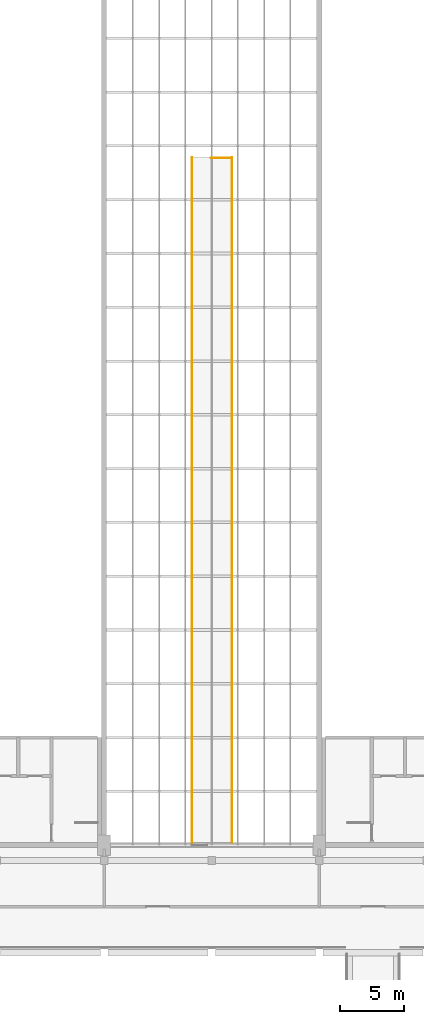
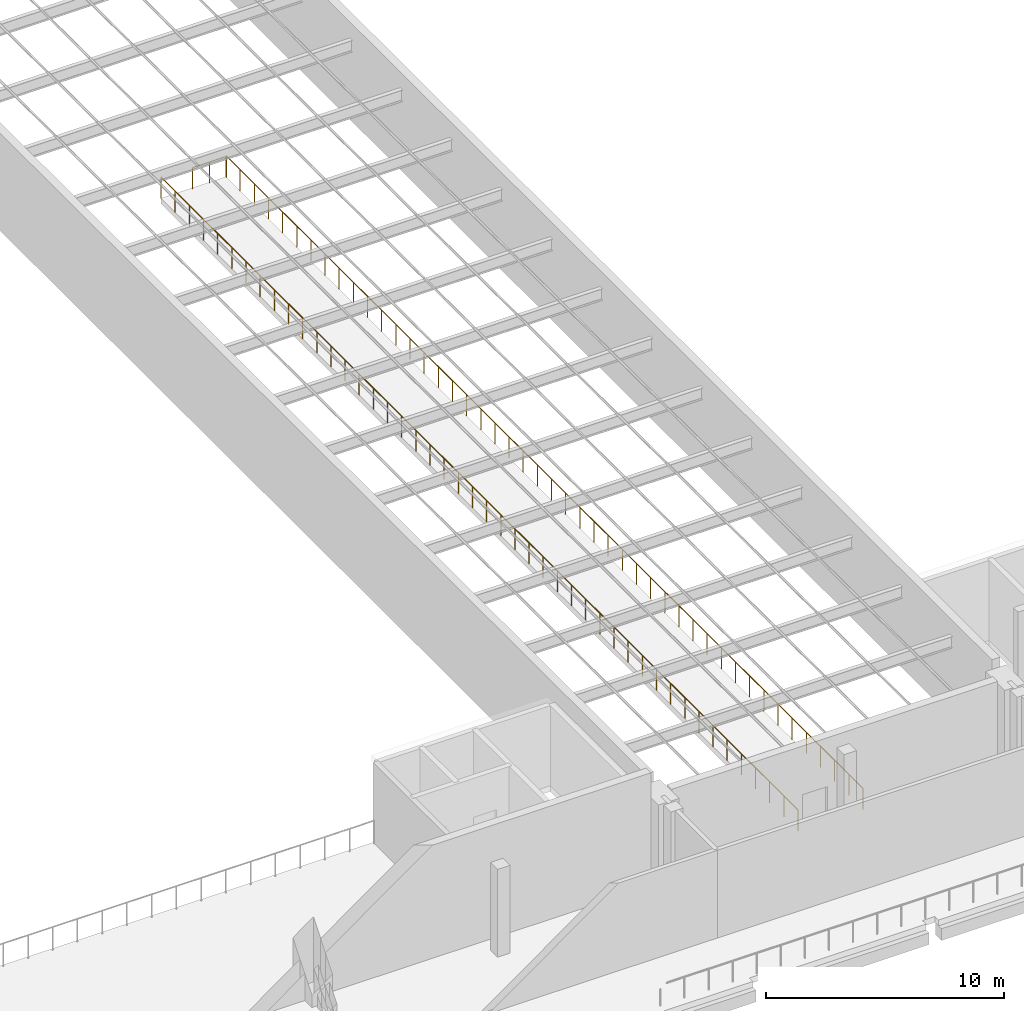
# One storey, part 156 of 162: 3 railings.
"""IFC4 building model written with IfcOpenShell, lengths in metres."""

from ifc_helpers import new_model, si_unit, direction, frame, origin, origin_2d, place, context, subcontext, project, spatial, circle, extrude, material, type_object, element, save


model = new_model("IFC4")

# Units and contexts
model_context = context("Model", 3, precision=1e-05, world=origin(), true_north=direction((0.0, 1.0)))
body_context = subcontext(model_context, "Body", "Model", "MODEL_VIEW")
ifc_project = project(units=[si_unit("LENGTHUNIT", "METRE"), si_unit("AREAUNIT", "SQUARE_METRE"), si_unit("VOLUMEUNIT", "CUBIC_METRE"), si_unit("PLANEANGLEUNIT", "RADIAN"), si_unit("MASSUNIT", "GRAM", prefix="KILO")], contexts=[model_context])

# Site, building, storey
site_placement = place(None, origin())
site = spatial("IfcSite", under=ifc_project, at=site_placement, CompositionType="ELEMENT")
building_placement = place(site_placement, origin())
building = spatial("IfcBuilding", under=site, at=building_placement, Name="Rain Tree Exposition and Congress Centre", CompositionType="ELEMENT")
storey_placement = place(building_placement, frame((0.0, 0.0, 6.0)))
storey = spatial("IfcBuildingStorey", under=building, at=storey_placement, Name="L01", CompositionType="ELEMENT", Elevation=6.0)

# Railings
ifc_material_1 = material(Name="Steel S355J2H", Category="steel")
railing_type_1 = type_object("IfcRailingType", Name="Link walk guard 1100", PredefinedType="GUARDRAIL", material=ifc_material_1)
railing_1_placement = place(storey_placement, frame((132.85009765625, 101.0, 0.0)))
element("IfcRailing", 1, at=railing_1_placement, inside=storey, type_object=railing_type_1, Name="Link walk guard 1", PredefinedType="GUARDRAIL", context=body_context, shape_type="SweptSolid", body=[
    extrude(circle(Radius=0.02392578125, at=origin_2d()), frame((0.0, 0.0, 1.076171875), z_axis=(0.0, 1.0, 0.0), x_axis=(-1.0, 0.0, 0.0)), (0.0, 0.0, 1.0), 53.5029296875),
    extrude(circle(Radius=0.02099609375, at=origin_2d()), origin(), (0.0, 0.0, 1.0), 1.052001953125),
    extrude(circle(Radius=0.02099609375, at=origin_2d()), frame((0.0, 1.18896484375, 0.0)), (0.0, 0.0, 1.0), 1.052001953125),
    extrude(circle(Radius=0.02099609375, at=origin_2d()), frame((0.0, 2.3779296875, 0.0)), (0.0, 0.0, 1.0), 1.052001953125),
    extrude(circle(Radius=0.02099609375, at=origin_2d()), frame((0.0, 3.56689453125, 0.0)), (0.0, 0.0, 1.0), 1.052001953125),
    extrude(circle(Radius=0.02099609375, at=origin_2d()), frame((0.0, 4.755859375, 0.0)), (0.0, 0.0, 1.0), 1.052001953125),
    extrude(circle(Radius=0.02099609375, at=origin_2d()), frame((0.0, 5.94482421875, 0.0)), (0.0, 0.0, 1.0), 1.052001953125),
    extrude(circle(Radius=0.02099609375, at=origin_2d()), frame((0.0, 7.1337890625, 0.0)), (0.0, 0.0, 1.0), 1.052001953125),
    extrude(circle(Radius=0.02099609375, at=origin_2d()), frame((0.0, 8.32275390625, 0.0)), (0.0, 0.0, 1.0), 1.052001953125),
    extrude(circle(Radius=0.02099609375, at=origin_2d()), frame((0.0, 9.51171875, 0.0)), (0.0, 0.0, 1.0), 1.052001953125),
    extrude(circle(Radius=0.02099609375, at=origin_2d()), frame((0.0, 10.70068359375, 0.0)), (0.0, 0.0, 1.0), 1.052001953125),
    extrude(circle(Radius=0.02099609375, at=origin_2d()), frame((0.0, 11.8896484375, 0.0)), (0.0, 0.0, 1.0), 1.052001953125),
    extrude(circle(Radius=0.02099609375, at=origin_2d()), frame((0.0, 13.07861328125, 0.0)), (0.0, 0.0, 1.0), 1.052001953125),
    extrude(circle(Radius=0.02099609375, at=origin_2d()), frame((0.0, 14.267333984375, 0.0)), (0.0, 0.0, 1.0), 1.052001953125),
    extrude(circle(Radius=0.02099609375, at=origin_2d()), frame((0.0, 15.456298828125, 0.0)), (0.0, 0.0, 1.0), 1.052001953125),
    extrude(circle(Radius=0.02099609375, at=origin_2d()), frame((0.0, 16.645263671875, 0.0)), (0.0, 0.0, 1.0), 1.052001953125),
    extrude(circle(Radius=0.02099609375, at=origin_2d()), frame((0.0, 17.834228515625, 0.0)), (0.0, 0.0, 1.0), 1.052001953125),
    extrude(circle(Radius=0.02099609375, at=origin_2d()), frame((0.0, 19.023193359375, 0.0)), (0.0, 0.0, 1.0), 1.052001953125),
    extrude(circle(Radius=0.02099609375, at=origin_2d()), frame((0.0, 20.212158203125, 0.0)), (0.0, 0.0, 1.0), 1.052001953125),
    extrude(circle(Radius=0.02099609375, at=origin_2d()), frame((0.0, 21.401123046875, 0.0)), (0.0, 0.0, 1.0), 1.052001953125),
    extrude(circle(Radius=0.02099609375, at=origin_2d()), frame((0.0, 22.590087890625, 0.0)), (0.0, 0.0, 1.0), 1.052001953125),
    extrude(circle(Radius=0.02099609375, at=origin_2d()), frame((0.0, 23.779052734375, 0.0)), (0.0, 0.0, 1.0), 1.052001953125),
    extrude(circle(Radius=0.02099609375, at=origin_2d()), frame((0.0, 24.968017578125, 0.0)), (0.0, 0.0, 1.0), 1.052001953125),
    extrude(circle(Radius=0.02099609375, at=origin_2d()), frame((0.0, 26.156982421875, 0.0)), (0.0, 0.0, 1.0), 1.052001953125),
    extrude(circle(Radius=0.02099609375, at=origin_2d()), frame((0.0, 27.345947265625, 0.0)), (0.0, 0.0, 1.0), 1.052001953125),
    extrude(circle(Radius=0.02099609375, at=origin_2d()), frame((0.0, 28.534912109375, 0.0)), (0.0, 0.0, 1.0), 1.052001953125),
    extrude(circle(Radius=0.02099609375, at=origin_2d()), frame((0.0, 29.723876953125, 0.0)), (0.0, 0.0, 1.0), 1.052001953125),
    extrude(circle(Radius=0.02099609375, at=origin_2d()), frame((0.0, 30.912841796875, 0.0)), (0.0, 0.0, 1.0), 1.052001953125),
    extrude(circle(Radius=0.02099609375, at=origin_2d()), frame((0.0, 32.101806640625, 0.0)), (0.0, 0.0, 1.0), 1.052001953125),
    extrude(circle(Radius=0.02099609375, at=origin_2d()), frame((0.0, 33.290771484375, 0.0)), (0.0, 0.0, 1.0), 1.052001953125),
    extrude(circle(Radius=0.02099609375, at=origin_2d()), frame((0.0, 34.479736328125, 0.0)), (0.0, 0.0, 1.0), 1.052001953125),
    extrude(circle(Radius=0.02099609375, at=origin_2d()), frame((0.0, 35.668701171875, 0.0)), (0.0, 0.0, 1.0), 1.052001953125),
    extrude(circle(Radius=0.02099609375, at=origin_2d()), frame((0.0, 36.857666015625, 0.0)), (0.0, 0.0, 1.0), 1.052001953125),
    extrude(circle(Radius=0.02099609375, at=origin_2d()), frame((0.0, 38.046630859375, 0.0)), (0.0, 0.0, 1.0), 1.052001953125),
    extrude(circle(Radius=0.02099609375, at=origin_2d()), frame((0.0, 39.235595703125, 0.0)), (0.0, 0.0, 1.0), 1.052001953125),
    extrude(circle(Radius=0.02099609375, at=origin_2d()), frame((0.0, 40.42431640625, 0.0)), (0.0, 0.0, 1.0), 1.052001953125),
    extrude(circle(Radius=0.02099609375, at=origin_2d()), frame((0.0, 41.61328125, 0.0)), (0.0, 0.0, 1.0), 1.052001953125),
    extrude(circle(Radius=0.02099609375, at=origin_2d()), frame((0.0, 42.80224609375, 0.0)), (0.0, 0.0, 1.0), 1.052001953125),
    extrude(circle(Radius=0.02099609375, at=origin_2d()), frame((0.0, 43.9912109375, 0.0)), (0.0, 0.0, 1.0), 1.052001953125),
    extrude(circle(Radius=0.02099609375, at=origin_2d()), frame((0.0, 45.18017578125, 0.0)), (0.0, 0.0, 1.0), 1.052001953125),
    extrude(circle(Radius=0.02099609375, at=origin_2d()), frame((0.0, 46.369140625, 0.0)), (0.0, 0.0, 1.0), 1.052001953125),
    extrude(circle(Radius=0.02099609375, at=origin_2d()), frame((0.0, 47.55810546875, 0.0)), (0.0, 0.0, 1.0), 1.052001953125),
    extrude(circle(Radius=0.02099609375, at=origin_2d()), frame((0.0, 48.7470703125, 0.0)), (0.0, 0.0, 1.0), 1.052001953125),
    extrude(circle(Radius=0.02099609375, at=origin_2d()), frame((0.0, 49.93603515625, 0.0)), (0.0, 0.0, 1.0), 1.052001953125),
    extrude(circle(Radius=0.02099609375, at=origin_2d()), frame((0.0, 51.125, 0.0)), (0.0, 0.0, 1.0), 1.052001953125),
    extrude(circle(Radius=0.02099609375, at=origin_2d()), frame((0.0, 52.31396484375, 0.0)), (0.0, 0.0, 1.0), 1.052001953125),
    extrude(circle(Radius=0.02099609375, at=origin_2d()), frame((0.0, 53.5029296875, 0.0)), (0.0, 0.0, 1.0), 1.052001953125),
])
railing_2_placement = place(storey_placement, frame((136.0, 101.0, 0.0)))
element("IfcRailing", 2, at=railing_2_placement, inside=storey, type_object=railing_type_1, Name="Link walk guard 2", PredefinedType="GUARDRAIL", context=body_context, shape_type="SweptSolid", body=[
    extrude(circle(Radius=0.02392578125, at=origin_2d()), frame((0.0, 0.0, 1.076171875), z_axis=(0.0, 1.0, 0.0), x_axis=(-1.0, 0.0, 0.0)), (0.0, 0.0, 1.0), 53.5029296875),
    extrude(circle(Radius=0.02099609375, at=origin_2d()), origin(), (0.0, 0.0, 1.0), 1.052001953125),
    extrude(circle(Radius=0.02099609375, at=origin_2d()), frame((0.0, 1.18896484375, 0.0)), (0.0, 0.0, 1.0), 1.052001953125),
    extrude(circle(Radius=0.02099609375, at=origin_2d()), frame((0.0, 2.3779296875, 0.0)), (0.0, 0.0, 1.0), 1.052001953125),
    extrude(circle(Radius=0.02099609375, at=origin_2d()), frame((0.0, 3.56689453125, 0.0)), (0.0, 0.0, 1.0), 1.052001953125),
    extrude(circle(Radius=0.02099609375, at=origin_2d()), frame((0.0, 4.755859375, 0.0)), (0.0, 0.0, 1.0), 1.052001953125),
    extrude(circle(Radius=0.02099609375, at=origin_2d()), frame((0.0, 5.94482421875, 0.0)), (0.0, 0.0, 1.0), 1.052001953125),
    extrude(circle(Radius=0.02099609375, at=origin_2d()), frame((0.0, 7.1337890625, 0.0)), (0.0, 0.0, 1.0), 1.052001953125),
    extrude(circle(Radius=0.02099609375, at=origin_2d()), frame((0.0, 8.32275390625, 0.0)), (0.0, 0.0, 1.0), 1.052001953125),
    extrude(circle(Radius=0.02099609375, at=origin_2d()), frame((0.0, 9.51171875, 0.0)), (0.0, 0.0, 1.0), 1.052001953125),
    extrude(circle(Radius=0.02099609375, at=origin_2d()), frame((0.0, 10.70068359375, 0.0)), (0.0, 0.0, 1.0), 1.052001953125),
    extrude(circle(Radius=0.02099609375, at=origin_2d()), frame((0.0, 11.8896484375, 0.0)), (0.0, 0.0, 1.0), 1.052001953125),
    extrude(circle(Radius=0.02099609375, at=origin_2d()), frame((0.0, 13.07861328125, 0.0)), (0.0, 0.0, 1.0), 1.052001953125),
    extrude(circle(Radius=0.02099609375, at=origin_2d()), frame((0.0, 14.267333984375, 0.0)), (0.0, 0.0, 1.0), 1.052001953125),
    extrude(circle(Radius=0.02099609375, at=origin_2d()), frame((0.0, 15.456298828125, 0.0)), (0.0, 0.0, 1.0), 1.052001953125),
    extrude(circle(Radius=0.02099609375, at=origin_2d()), frame((0.0, 16.645263671875, 0.0)), (0.0, 0.0, 1.0), 1.052001953125),
    extrude(circle(Radius=0.02099609375, at=origin_2d()), frame((0.0, 17.834228515625, 0.0)), (0.0, 0.0, 1.0), 1.052001953125),
    extrude(circle(Radius=0.02099609375, at=origin_2d()), frame((0.0, 19.023193359375, 0.0)), (0.0, 0.0, 1.0), 1.052001953125),
    extrude(circle(Radius=0.02099609375, at=origin_2d()), frame((0.0, 20.212158203125, 0.0)), (0.0, 0.0, 1.0), 1.052001953125),
    extrude(circle(Radius=0.02099609375, at=origin_2d()), frame((0.0, 21.401123046875, 0.0)), (0.0, 0.0, 1.0), 1.052001953125),
    extrude(circle(Radius=0.02099609375, at=origin_2d()), frame((0.0, 22.590087890625, 0.0)), (0.0, 0.0, 1.0), 1.052001953125),
    extrude(circle(Radius=0.02099609375, at=origin_2d()), frame((0.0, 23.779052734375, 0.0)), (0.0, 0.0, 1.0), 1.052001953125),
    extrude(circle(Radius=0.02099609375, at=origin_2d()), frame((0.0, 24.968017578125, 0.0)), (0.0, 0.0, 1.0), 1.052001953125),
    extrude(circle(Radius=0.02099609375, at=origin_2d()), frame((0.0, 26.156982421875, 0.0)), (0.0, 0.0, 1.0), 1.052001953125),
    extrude(circle(Radius=0.02099609375, at=origin_2d()), frame((0.0, 27.345947265625, 0.0)), (0.0, 0.0, 1.0), 1.052001953125),
    extrude(circle(Radius=0.02099609375, at=origin_2d()), frame((0.0, 28.534912109375, 0.0)), (0.0, 0.0, 1.0), 1.052001953125),
    extrude(circle(Radius=0.02099609375, at=origin_2d()), frame((0.0, 29.723876953125, 0.0)), (0.0, 0.0, 1.0), 1.052001953125),
    extrude(circle(Radius=0.02099609375, at=origin_2d()), frame((0.0, 30.912841796875, 0.0)), (0.0, 0.0, 1.0), 1.052001953125),
    extrude(circle(Radius=0.02099609375, at=origin_2d()), frame((0.0, 32.101806640625, 0.0)), (0.0, 0.0, 1.0), 1.052001953125),
    extrude(circle(Radius=0.02099609375, at=origin_2d()), frame((0.0, 33.290771484375, 0.0)), (0.0, 0.0, 1.0), 1.052001953125),
    extrude(circle(Radius=0.02099609375, at=origin_2d()), frame((0.0, 34.479736328125, 0.0)), (0.0, 0.0, 1.0), 1.052001953125),
    extrude(circle(Radius=0.02099609375, at=origin_2d()), frame((0.0, 35.668701171875, 0.0)), (0.0, 0.0, 1.0), 1.052001953125),
    extrude(circle(Radius=0.02099609375, at=origin_2d()), frame((0.0, 36.857666015625, 0.0)), (0.0, 0.0, 1.0), 1.052001953125),
    extrude(circle(Radius=0.02099609375, at=origin_2d()), frame((0.0, 38.046630859375, 0.0)), (0.0, 0.0, 1.0), 1.052001953125),
    extrude(circle(Radius=0.02099609375, at=origin_2d()), frame((0.0, 39.235595703125, 0.0)), (0.0, 0.0, 1.0), 1.052001953125),
    extrude(circle(Radius=0.02099609375, at=origin_2d()), frame((0.0, 40.42431640625, 0.0)), (0.0, 0.0, 1.0), 1.052001953125),
    extrude(circle(Radius=0.02099609375, at=origin_2d()), frame((0.0, 41.61328125, 0.0)), (0.0, 0.0, 1.0), 1.052001953125),
    extrude(circle(Radius=0.02099609375, at=origin_2d()), frame((0.0, 42.80224609375, 0.0)), (0.0, 0.0, 1.0), 1.052001953125),
    extrude(circle(Radius=0.02099609375, at=origin_2d()), frame((0.0, 43.9912109375, 0.0)), (0.0, 0.0, 1.0), 1.052001953125),
    extrude(circle(Radius=0.02099609375, at=origin_2d()), frame((0.0, 45.18017578125, 0.0)), (0.0, 0.0, 1.0), 1.052001953125),
    extrude(circle(Radius=0.02099609375, at=origin_2d()), frame((0.0, 46.369140625, 0.0)), (0.0, 0.0, 1.0), 1.052001953125),
    extrude(circle(Radius=0.02099609375, at=origin_2d()), frame((0.0, 47.55810546875, 0.0)), (0.0, 0.0, 1.0), 1.052001953125),
    extrude(circle(Radius=0.02099609375, at=origin_2d()), frame((0.0, 48.7470703125, 0.0)), (0.0, 0.0, 1.0), 1.052001953125),
    extrude(circle(Radius=0.02099609375, at=origin_2d()), frame((0.0, 49.93603515625, 0.0)), (0.0, 0.0, 1.0), 1.052001953125),
    extrude(circle(Radius=0.02099609375, at=origin_2d()), frame((0.0, 51.125, 0.0)), (0.0, 0.0, 1.0), 1.052001953125),
    extrude(circle(Radius=0.02099609375, at=origin_2d()), frame((0.0, 52.31396484375, 0.0)), (0.0, 0.0, 1.0), 1.052001953125),
    extrude(circle(Radius=0.02099609375, at=origin_2d()), frame((0.0, 53.5029296875, 0.0)), (0.0, 0.0, 1.0), 1.052001953125),
])
ifc_material_2 = material(Name="Steel S355J2H", Category="steel")
railing_type_2 = type_object("IfcRailingType", Name="Stair guard 1100", PredefinedType="GUARDRAIL", material=ifc_material_2)
railing_3_placement = place(storey_placement, frame((136.0, 154.449951171875, 0.0)))
element("IfcRailing", 3, at=railing_3_placement, inside=storey, type_object=railing_type_2, Name="L01 ST-HL1 top well guard 1", PredefinedType="GUARDRAIL", context=body_context, shape_type="SweptSolid", body=[
    extrude(circle(Radius=0.02392578125, at=origin_2d()), frame((0.0, 0.0, 1.076171875), z_axis=(-1.0, 0.0, 0.0), x_axis=(0.0, -1.0, 0.0)), (0.0, 0.0, 1.0), 1.64990234375),
    extrude(circle(Radius=0.02099609375, at=origin_2d()), origin(), (0.0, 0.0, 1.0), 1.052001953125),
    extrude(circle(Radius=0.02099609375, at=origin_2d()), frame((-0.824951171875, 0.0, 0.0)), (0.0, 0.0, 1.0), 1.052001953125),
    extrude(circle(Radius=0.02099609375, at=origin_2d()), frame((-1.64990234375, 0.0, 0.0)), (0.0, 0.0, 1.0), 1.052001953125),
])

save(model, "model.ifc")
